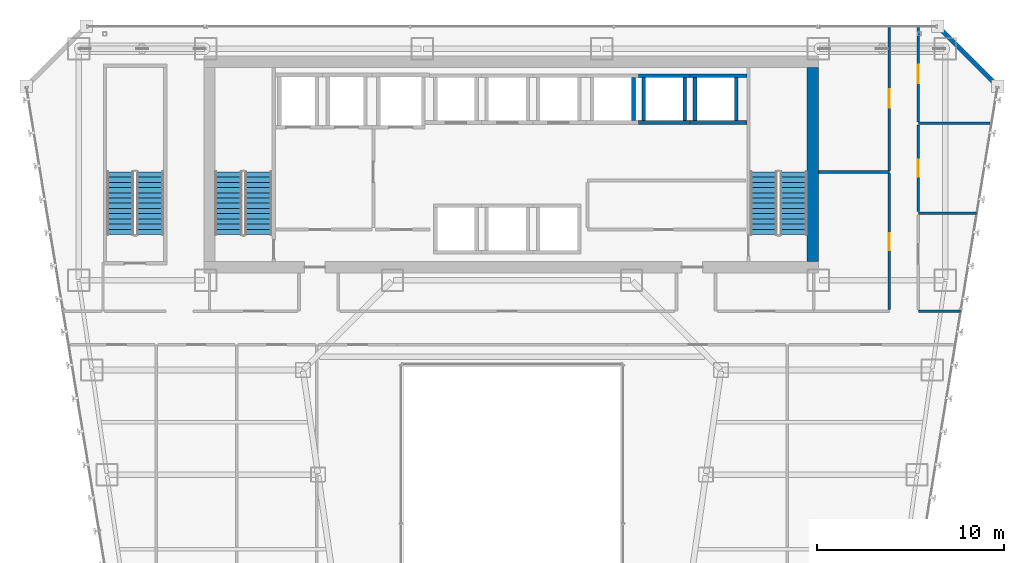
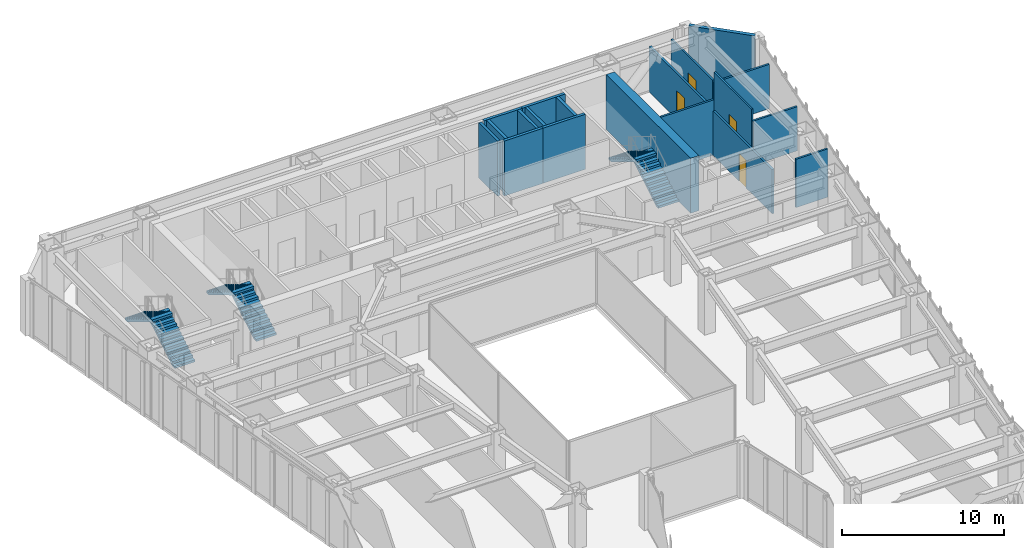
# One storey, part 38 of 47: 19 walls, 6 stair flights, 4 doors, 4 openings, 3 elements without a shape of their own.
"""IFC4 building model written with IfcOpenShell, lengths in metres."""

from ifc_helpers import new_model, si_unit, direction, frame, frame_2d, origin, place, context, subcontext, project, spatial, polyline, rectangle, outline, extrude, material, layer, layer_set, type_object, element, fill, aggregate, save


model = new_model("IFC4")

# Units and contexts
model_context = context("Model", 3, precision=1e-05, world=origin(), true_north=direction((0.0, 1.0)))
body_context = subcontext(model_context, "Body", "Model", "MODEL_VIEW")
ifc_project = project(units=[si_unit("LENGTHUNIT", "METRE"), si_unit("AREAUNIT", "SQUARE_METRE"), si_unit("VOLUMEUNIT", "CUBIC_METRE"), si_unit("PLANEANGLEUNIT", "RADIAN"), si_unit("MASSUNIT", "GRAM", prefix="KILO")], contexts=[model_context])

# Site, building, storey
site_placement = place(None, origin())
site = spatial("IfcSite", under=ifc_project, at=site_placement, CompositionType="ELEMENT")
building_placement = place(site_placement, origin())
building = spatial("IfcBuilding", under=site, at=building_placement, Name="Saevonmaru Cultural Tower", CompositionType="ELEMENT")
storey_placement = place(building_placement, frame((0.0, 0.0, 78.0)))
storey = spatial("IfcBuildingStorey", under=building, at=storey_placement, Name="L16", CompositionType="ELEMENT", Elevation=78.0)

# Walls
ifc_material_1 = material(Name="Concrete C60/75", Category="concrete")
ifc_layer_1 = layer(ifc_material_1, 0.60009765625, Name="Concrete C60/75")
ifc_layer_set_1 = layer_set([ifc_layer_1], Name="Concrete C60/75")
wall_type_1 = type_object("IfcWallType", Name="WL-CORE-600", PredefinedType="SHEAR", material=ifc_layer_set_1)
wall_1_placement = place(storey_placement, frame((46.10009765625, 43.39990234375, 0.0), z_axis=(0.0, 0.0, 1.0), x_axis=(0.0, 1.0, 0.0)))
element("IfcWall", 1, at=wall_1_placement, inside=storey, type_object=wall_type_1, Name="L16 Tower RC core shear wall E", PredefinedType="SHEAR", context=body_context, shape_type="SweptSolid", body=[
    extrude(rectangle(XDim=10.400146484375, YDim=0.60009765625, at=frame_2d((5.2001953125, 0.0))), origin(), (0.0, 0.0, 1.0), 4.14990234375),
])
ifc_material_2 = material(Name="Granite-Clad Precast Concrete C40/50", Category="masonry")
ifc_layer_2 = layer(ifc_material_2, 0.260009765625, Name="Granite-Clad Precast Concrete C40/50")
ifc_layer_set_2 = layer_set([ifc_layer_2], Name="Granite-Clad Precast Concrete C40/50")
wall_type_2 = type_object("IfcWallType", Name="WL-EXT-SPANDREL-260", PredefinedType="STANDARD", material=ifc_layer_set_2)
wall_2_placement = place(storey_placement, frame((55.886962890625, 52.9130859375, 0.0), z_axis=(0.0, 0.0, 1.0), x_axis=(-0.707106781187, 0.707106781187, 0.0)))
element("IfcWall", 2, at=wall_2_placement, inside=storey, type_object=wall_type_2, Name="L16 Chamfer Corner Spandrel Wall E9", PredefinedType="STANDARD", context=body_context, shape_type="SweptSolid", body=[
    extrude(rectangle(XDim=4.205810546875, YDim=0.260009765625, at=frame_2d((2.10302734375, 0.0))), origin(), (0.0, 0.0, 1.0), 4.14990234375),
])

# Wall, opening, door
ifc_material_3 = material(Name="Gypsum Fireboard Partition", Category="gypsum")
ifc_layer_3 = layer(ifc_material_3, 0.14990234375, Name="Gypsum Fireboard Partition")
ifc_layer_set_3 = layer_set([ifc_layer_3], Name="Gypsum Fireboard Partition")
wall_type_3 = type_object("IfcWallType", Name="WL-PART-FIRE-150", PredefinedType="PARTITIONING", material=ifc_layer_set_3)
wall_3_placement = place(storey_placement, frame((50.199951171875, 48.2900390625, 0.0), z_axis=(0.0, 0.0, 1.0), x_axis=(0.0, 1.0, 0.0)))
wall_3 = element("IfcWall", 3, at=wall_3_placement, inside=storey, type_object=wall_type_3, Name="L16 Chamber Rehearsal Auditorium Corridor Wall", PredefinedType="PARTITIONING", context=body_context, shape_type="SweptSolid", body=[
    extrude(rectangle(XDim=7.705078125, YDim=0.14990234375, at=frame_2d((3.8525390625, 0.0))), origin(), (0.0, 0.0, 1.0), 3.43505859375),
])
opening_1_placement = place(wall_3_placement, frame((3.35205078125, 0.0, 0.0)))
opening_1 = element("IfcOpeningElement", 4, at=opening_1_placement, cuts=wall_3, Name="Opening ID-1B", PredefinedType="OPENING", context=body_context, shape_type="SweptSolid", body=[
    extrude(rectangle(XDim=1.0, YDim=2.14990234375, at=frame_2d((0.5, 1.074951171875))), frame((0.0, 0.0849609375, 0.0), z_axis=(0.0, -1.0, 0.0), x_axis=(1.0, 0.0, 0.0)), (0.0, 0.0, 1.0), 0.169921875),
])
ifc_material_4 = material(Name="Acoustic Stained Oak Timber", Category="wood")
door_type_1 = type_object("IfcDoorType", Name="DR-INT-1000", OperationType="SINGLE_SWING_RIGHT", PredefinedType="DOOR", material=ifc_material_4)
door_1_placement = place(opening_1_placement, origin())
door_1 = element("IfcDoor", 5, at=door_1_placement, inside=storey, type_object=door_type_1, Name="L16 Chamber Rehearsal Auditorium Door", OperationType="SINGLE_SWING_LEFT", OverallHeight=2.14990234375, OverallWidth=1.0, PredefinedType="DOOR", context=body_context, shape_type="SweptSolid", body=[
    extrude(rectangle(XDim=1.0, YDim=2.14990234375, at=frame_2d((0.5, 1.074951171875))), frame((0.0, 0.02490234375, 0.0), z_axis=(0.0, -1.0, 0.0), x_axis=(1.0, 0.0, 0.0)), (0.0, 0.0, 1.0), 0.050048828125),
])
fill(opening_1, door_1)

ifc_layer_4 = layer(ifc_material_3, 0.1201171875, Name="Gypsum Fireboard Partition")
ifc_layer_set_4 = layer_set([ifc_layer_4], Name="Gypsum Fireboard Partition")
wall_type_4 = type_object("IfcWallType", Name="WL-PART-GYP-120", PredefinedType="PARTITIONING", material=ifc_layer_set_4)
wall_4_placement = place(storey_placement, frame((51.75, 46.08740234375, 0.0), z_axis=(0.0, 0.0, 1.0), x_axis=(0.0, 1.0, 0.0)))
wall_4 = element("IfcWall", 6, at=wall_4_placement, inside=storey, type_object=wall_type_4, Name="L16 Architecture Residency Office Corridor Wall", PredefinedType="PARTITIONING", context=body_context, shape_type="SweptSolid", body=[
    extrude(rectangle(XDim=4.625, YDim=0.1201171875, at=frame_2d((2.3125, 0.0))), origin(), (0.0, 0.0, 1.0), 4.14990234375),
])
opening_2_placement = place(wall_4_placement, frame((1.863037109375, 0.0, 0.0)))
opening_2 = element("IfcOpeningElement", 7, at=opening_2_placement, cuts=wall_4, Name="Opening ID-2", PredefinedType="OPENING", context=body_context, shape_type="SweptSolid", body=[
    extrude(rectangle(XDim=0.89990234375, YDim=2.10009765625, at=frame_2d((0.449951171875, 1.050048828125))), frame((0.0, 0.070068359375, 0.0), z_axis=(0.0, -1.0, 0.0), x_axis=(1.0, 0.0, 0.0)), (0.0, 0.0, 1.0), 0.14013671875),
])
door_type_2 = type_object("IfcDoorType", Name="DR-INT-900", OperationType="SINGLE_SWING_RIGHT", PredefinedType="DOOR", material=ifc_material_4)
door_2_placement = place(opening_2_placement, origin())
door_2 = element("IfcDoor", 8, at=door_2_placement, inside=storey, type_object=door_type_2, Name="L16 Architecture Residency Office Door", OperationType="SINGLE_SWING_LEFT", OverallHeight=2.10009765625, OverallWidth=0.89990234375, PredefinedType="DOOR", context=body_context, shape_type="SweptSolid", body=[
    extrude(rectangle(XDim=0.89990234375, YDim=2.10009765625, at=frame_2d((0.449951171875, 1.050048828125))), frame((0.0, 0.02490234375, 0.0), z_axis=(0.0, -1.0, 0.0), x_axis=(1.0, 0.0, 0.0)), (0.0, 0.0, 1.0), 0.050048828125),
])
fill(opening_2, door_2)

wall_5_placement = place(storey_placement, frame((51.75, 50.887451171875, 0.0), z_axis=(0.0, 0.0, 1.0), x_axis=(0.0, 1.0, 0.0)))
wall_5 = element("IfcWall", 9, at=wall_5_placement, inside=storey, type_object=wall_type_4, Name="L16 Botanical Tea Bistro Corridor Wall", PredefinedType="PARTITIONING", context=body_context, shape_type="SweptSolid", body=[
    extrude(rectangle(XDim=5.107666015625, YDim=0.1201171875, at=frame_2d((2.5537109375, 0.0))), origin(), (0.0, 0.0, 1.0), 3.43505859375),
])
opening_3_placement = place(wall_5_placement, frame((2.053955078125, 0.0, 0.0)))
opening_3 = element("IfcOpeningElement", 10, at=opening_3_placement, cuts=wall_5, Name="Opening ID-1B", PredefinedType="OPENING", context=body_context, shape_type="SweptSolid", body=[
    extrude(rectangle(XDim=1.0, YDim=2.14990234375, at=frame_2d((0.5, 1.074951171875))), frame((0.0, 0.070068359375, 0.0), z_axis=(0.0, -1.0, 0.0), x_axis=(1.0, 0.0, 0.0)), (0.0, 0.0, 1.0), 0.14013671875),
])
door_3_placement = place(opening_3_placement, origin())
door_3 = element("IfcDoor", 11, at=door_3_placement, inside=storey, type_object=door_type_1, Name="L16 Botanical Tea Bistro Door", OperationType="SINGLE_SWING_RIGHT", OverallHeight=2.14990234375, OverallWidth=1.0, PredefinedType="DOOR", context=body_context, shape_type="SweptSolid", body=[
    extrude(rectangle(XDim=1.0, YDim=2.14990234375, at=frame_2d((0.5, 1.074951171875))), frame((0.0, 0.02490234375, 0.0), z_axis=(0.0, -1.0, 0.0), x_axis=(1.0, 0.0, 0.0)), (0.0, 0.0, 1.0), 0.050048828125),
])
fill(opening_3, door_3)

# Walls
ifc_layer_5 = layer(ifc_material_3, 0.135009765625, Name="Gypsum Fireboard Partition")
ifc_layer_set_5 = layer_set([ifc_layer_5], Name="Gypsum Fireboard Partition")
wall_type_5 = type_object("IfcWallType", Name="WL-PART-GYP-135", PredefinedType="PARTITIONING", material=ifc_layer_set_5)
wall_6_placement = place(storey_placement, frame((51.75, 40.75, 0.0), z_axis=(0.0, 0.0, 1.0), x_axis=(1.0, 0.0, 0.0)))
element("IfcWall", 12, at=wall_6_placement, inside=storey, type_object=wall_type_5, Name="L16 NE Wing South Wall", PredefinedType="PARTITIONING", context=body_context, shape_type="SweptSolid", body=[
    extrude(rectangle(XDim=2.2705078125, YDim=0.135009765625, at=frame_2d((1.13525390625, 0.0))), origin(), (0.0, 0.0, 1.0), 3.635009765625),
])
wall_7_placement = place(storey_placement, frame((51.75, 46.0, 0.0), z_axis=(0.0, 0.0, 1.0), x_axis=(1.0, 0.0, 0.0)))
element("IfcWall", 13, at=wall_7_placement, inside=storey, type_object=wall_type_5, Name="L16 NE Studio Divider 1", PredefinedType="PARTITIONING", context=body_context, shape_type="SweptSolid", body=[
    extrude(rectangle(XDim=3.130615234375, YDim=0.135009765625, at=frame_2d((1.5654296875, 0.0))), origin(), (0.0, 0.0, 1.0), 3.3349609375),
])
wall_8_placement = place(storey_placement, frame((51.75, 50.800048828125, 0.0), z_axis=(0.0, 0.0, 1.0), x_axis=(1.0, 0.0, 0.0)))
element("IfcWall", 14, at=wall_8_placement, inside=storey, type_object=wall_type_5, Name="L16 NE Studio Divider 2", PredefinedType="PARTITIONING", context=body_context, shape_type="SweptSolid", body=[
    extrude(rectangle(XDim=3.917236328125, YDim=0.135009765625, at=frame_2d((1.95849609375, 0.0))), origin(), (0.0, 0.0, 1.0), 3.3349609375),
])
ifc_layer_6 = layer(ifc_material_3, 0.139892578125, Name="Gypsum Fireboard Partition")
ifc_layer_set_6 = layer_set([ifc_layer_6], Name="Gypsum Fireboard Partition")
wall_type_6 = type_object("IfcWallType", Name="WL-PART-WET-140", PredefinedType="PARTITIONING", material=ifc_layer_set_6)
wall_9_placement = place(storey_placement, frame((46.419921875, 48.199951171875, 0.0), z_axis=(0.0, 0.0, 1.0), x_axis=(1.0, 0.0, 0.0)))
element("IfcWall", 15, at=wall_9_placement, inside=storey, type_object=wall_type_6, Name="L16 Washroom North Wall", PredefinedType="PARTITIONING", context=body_context, shape_type="SweptSolid", body=[
    extrude(rectangle(XDim=3.780029296875, YDim=0.139892578125, at=frame_2d((1.89013671875, 0.0))), origin(), (0.0, 0.0, 1.0), 4.14990234375),
])

# Wall, opening, door
wall_10_placement = place(storey_placement, frame((50.199951171875, 40.840087890625, 0.0), z_axis=(0.0, 0.0, 1.0), x_axis=(0.0, 1.0, 0.0)))
wall_10 = element("IfcWall", 16, at=wall_10_placement, inside=storey, type_object=wall_type_6, Name="L16 Washroom Corridor Wall", PredefinedType="PARTITIONING", context=body_context, shape_type="SweptSolid", body=[
    extrude(rectangle(XDim=7.27001953125, YDim=0.139892578125, at=frame_2d((3.635009765625, 0.0))), origin(), (0.0, 0.0, 1.0), 3.3349609375),
])
opening_4_placement = place(wall_10_placement, frame((3.18505859375, 0.0, 0.0)))
opening_4 = element("IfcOpeningElement", 17, at=opening_4_placement, cuts=wall_10, Name="Opening ID-2", PredefinedType="OPENING", context=body_context, shape_type="SweptSolid", body=[
    extrude(rectangle(XDim=0.89990234375, YDim=2.10009765625, at=frame_2d((0.449951171875, 1.050048828125))), frame((0.0, 0.080078125, 0.0), z_axis=(0.0, -1.0, 0.0), x_axis=(1.0, 0.0, 0.0)), (0.0, 0.0, 1.0), 0.159912109375),
])
door_4_placement = place(opening_4_placement, origin())
door_4 = element("IfcDoor", 18, at=door_4_placement, inside=storey, type_object=door_type_2, Name="L16 Public Accessible Washrooms Door", OperationType="SINGLE_SWING_RIGHT", OverallHeight=2.10009765625, OverallWidth=0.89990234375, PredefinedType="DOOR", context=body_context, shape_type="SweptSolid", body=[
    extrude(rectangle(XDim=0.89990234375, YDim=2.10009765625, at=frame_2d((0.449951171875, 1.050048828125))), frame((0.0, 0.02490234375, 0.0), z_axis=(0.0, -1.0, 0.0), x_axis=(1.0, 0.0, 0.0)), (0.0, 0.0, 1.0), 0.050048828125),
])
fill(opening_4, door_4)

# Walls
ifc_material_5 = material(Name="Concrete C40/50", Category="concrete")
ifc_layer_7 = layer(ifc_material_5, 0.199951171875, Name="Concrete C40/50")
ifc_layer_set_7 = layer_set([ifc_layer_7], Name="Concrete C40/50")
wall_type_7 = type_object("IfcWallType", Name="WL-SHAFT-200", PredefinedType="SHEAR", material=ifc_layer_set_7)
wall_11_placement = place(storey_placement, frame((36.5, 50.949951171875, 0.0), z_axis=(0.0, 0.0, 1.0), x_axis=(0.0, 1.0, 0.0)))
element("IfcWall", 19, at=wall_11_placement, inside=storey, type_object=wall_type_7, Name="L16 Lift PL-H1 Hoistway Wall E", PredefinedType="SHEAR", context=body_context, shape_type="SweptSolid", body=[
    extrude(rectangle(XDim=2.300048828125, YDim=0.199951171875, at=frame_2d((1.14990234375, 0.0))), origin(), (0.0, 0.0, 1.0), 4.14990234375),
])
for number, where, z_axis, x_axis, name in (
    (20, (36.77490234375, 50.85009765625, 0.0), (0.0, 0.0, 1.0), (1.0, 0.0, 0.0), "L16 Lift PL-H2 Hoistway Wall S"),
    (21, (36.77490234375, 53.35009765625, 0.0), (0.0, 0.0, 1.0), (1.0, 0.0, 0.0), "L16 Lift PL-H2 Hoistway Wall N"),
):
    element("IfcWall", number, at=place(storey_placement, frame(where, z_axis=z_axis, x_axis=x_axis)), inside=storey, type_object=wall_type_7, Name=name, PredefinedType="SHEAR", context=body_context, shape_type="SweptSolid", body=[
        extrude(rectangle(XDim=2.75, YDim=0.199951171875, at=frame_2d((1.375, 0.0))), origin(), (0.0, 0.0, 1.0), 4.14990234375),
    ])
for number, where, z_axis, x_axis, name in (
    (22, (37.050048828125, 50.949951171875, 0.0), (0.0, 0.0, 1.0), (0.0, 1.0, 0.0), "L16 Lift PL-H2 Hoistway Wall W"),
    (23, (39.25, 50.949951171875, 0.0), (0.0, 0.0, 1.0), (0.0, 1.0, 0.0), "L16 Lift PL-H2 Hoistway Wall E"),
):
    element("IfcWall", number, at=place(storey_placement, frame(where, z_axis=z_axis, x_axis=x_axis)), inside=storey, type_object=wall_type_7, Name=name, PredefinedType="SHEAR", context=body_context, shape_type="SweptSolid", body=[
        extrude(rectangle(XDim=2.300048828125, YDim=0.199951171875, at=frame_2d((1.14990234375, 0.0))), origin(), (0.0, 0.0, 1.0), 4.14990234375),
    ])
for number, where, z_axis, x_axis, name in (
    (24, (39.52490234375, 50.85009765625, 0.0), (0.0, 0.0, 1.0), (1.0, 0.0, 0.0), "L16 Lift PL-H3 Hoistway Wall S"),
    (25, (39.52490234375, 53.35009765625, 0.0), (0.0, 0.0, 1.0), (1.0, 0.0, 0.0), "L16 Lift PL-H3 Hoistway Wall N"),
):
    element("IfcWall", number, at=place(storey_placement, frame(where, z_axis=z_axis, x_axis=x_axis)), inside=storey, type_object=wall_type_7, Name=name, PredefinedType="SHEAR", context=body_context, shape_type="SweptSolid", body=[
        extrude(rectangle(XDim=3.045166015625, YDim=0.199951171875, at=frame_2d((1.5224609375, 0.0))), origin(), (0.0, 0.0, 1.0), 4.14990234375),
    ])
for number, where, z_axis, x_axis, name in (
    (26, (39.800048828125, 50.949951171875, 0.0), (0.0, 0.0, 1.0), (0.0, 1.0, 0.0), "L16 Lift PL-H3 Hoistway Wall W"),
    (27, (42.0, 50.949951171875, 0.0), (0.0, 0.0, 1.0), (0.0, 1.0, 0.0), "L16 Lift PL-H3 Hoistway Wall E"),
):
    element("IfcWall", number, at=place(storey_placement, frame(where, z_axis=z_axis, x_axis=x_axis)), inside=storey, type_object=wall_type_7, Name=name, PredefinedType="SHEAR", context=body_context, shape_type="SweptSolid", body=[
        extrude(rectangle(XDim=2.300048828125, YDim=0.199951171875, at=frame_2d((1.14990234375, 0.0))), origin(), (0.0, 0.0, 1.0), 4.14990234375),
    ])

# Stair, stair flights
stair_type = type_object("IfcStairType", Name="STR-DOGLEG-RC", PredefinedType="HALF_TURN_STAIR", material=ifc_material_5)
stair_1_placement = place(storey_placement, origin())
stair_1 = element("IfcStair", 28, at=stair_1_placement, inside=storey, type_object=stair_type, Name="L16 Protected exit stair ST-1", PredefinedType="HALF_TURN_STAIR")
ifc_material_6 = material(Name="Precast concrete C40/50", Category="concrete")
stair_flight_type = type_object("IfcStairFlightType", Name="STF-PRECAST-180", PredefinedType="STRAIGHT", material=ifc_material_6)
stair_flight_1_placement = place(storey_placement, frame((16.425048828125, 44.85009765625, 0.0), z_axis=(0.0, 0.0, 1.0), x_axis=(0.0, 1.0, 0.0)))
stair_flight_1 = element("IfcStairFlight", 29, at=stair_flight_1_placement, type_object=stair_flight_type, Name="ST-1-L16 flight 1", NumberOfRisers=13, NumberOfTreads=12, PredefinedType="STRAIGHT", RiserHeight=0.169230769, TreadLength=0.28, context=body_context, shape_type="SweptSolid", body=[
    extrude(outline(polyline([(0.0, 0.0), (0.0, 0.169189453125), (0.280029296875, 0.169189453125), (0.280029296875, 0.33837890625), (0.56005859375, 0.33837890625), (0.56005859375, 0.5078125), (0.840087890625, 0.5078125), (0.840087890625, 0.677001953125), (1.1201171875, 0.677001953125), (1.1201171875, 0.84619140625), (1.39990234375, 0.84619140625), (1.39990234375, 1.015380859375), (1.679931640625, 1.015380859375), (1.679931640625, 1.1845703125), (1.9599609375, 1.1845703125), (1.9599609375, 1.353759765625), (2.239990234375, 1.353759765625), (2.239990234375, 1.523193359375), (2.52001953125, 1.523193359375), (2.52001953125, 1.6923828125), (2.800048828125, 1.6923828125), (2.800048828125, 1.861572265625), (3.080078125, 1.861572265625), (3.080078125, 2.03076171875), (3.360107421875, 2.03076171875), (3.360107421875, 2.199951171875), (3.360107421875, 1.855712890625), (0.289794921875, 0.0), (0.0, 0.0)])), frame((0.0, 0.72509765625, 0.0), z_axis=(0.0, -1.0, 0.0), x_axis=(1.0, 0.0, 0.0)), (0.0, 0.0, 1.0), 1.449951171875),
])
stair_flight_2_placement = place(storey_placement, frame((14.824951171875, 48.2099609375, 2.199951171875), z_axis=(0.0, 0.0, 1.0), x_axis=(0.0, -1.0, 0.0)))
stair_flight_2 = element("IfcStairFlight", 30, at=stair_flight_2_placement, type_object=stair_flight_type, Name="ST-1-L16 flight 2", NumberOfRisers=13, NumberOfTreads=12, PredefinedType="STRAIGHT", RiserHeight=0.169230769, TreadLength=0.28, context=body_context, shape_type="SweptSolid", body=[
    extrude(outline(polyline([(0.0, 0.0), (0.0, 0.169189453125), (0.280029296875, 0.169189453125), (0.280029296875, 0.33837890625), (0.56005859375, 0.33837890625), (0.56005859375, 0.5078125), (0.840087890625, 0.5078125), (0.840087890625, 0.677001953125), (1.1201171875, 0.677001953125), (1.1201171875, 0.84619140625), (1.39990234375, 0.84619140625), (1.39990234375, 1.015380859375), (1.679931640625, 1.015380859375), (1.679931640625, 1.1845703125), (1.9599609375, 1.1845703125), (1.9599609375, 1.353759765625), (2.239990234375, 1.353759765625), (2.239990234375, 1.523193359375), (2.52001953125, 1.523193359375), (2.52001953125, 1.6923828125), (2.800048828125, 1.6923828125), (2.800048828125, 1.861572265625), (3.080078125, 1.861572265625), (3.080078125, 2.03076171875), (3.360107421875, 2.03076171875), (3.360107421875, 2.199951171875), (3.360107421875, 1.855712890625), (0.289794921875, 0.0), (0.0, 0.0)])), frame((0.0, 0.72509765625, 0.0), z_axis=(0.0, -1.0, 0.0), x_axis=(1.0, 0.0, 0.0)), (0.0, 0.0, 1.0), 1.449951171875),
])
aggregate(stair_1, [stair_flight_1, stair_flight_2])

stair_2_placement = place(storey_placement, origin())
stair_2 = element("IfcStair", 31, at=stair_2_placement, inside=storey, type_object=stair_type, Name="L16 Protected exit stair ST-2", PredefinedType="HALF_TURN_STAIR")
stair_flight_3_placement = place(storey_placement, frame((45.074951171875, 44.85009765625, 0.0), z_axis=(0.0, 0.0, 1.0), x_axis=(0.0, 1.0, 0.0)))
stair_flight_3 = element("IfcStairFlight", 32, at=stair_flight_3_placement, type_object=stair_flight_type, Name="ST-2-L16 flight 1", NumberOfRisers=13, NumberOfTreads=12, PredefinedType="STRAIGHT", RiserHeight=0.169230769, TreadLength=0.28, context=body_context, shape_type="SweptSolid", body=[
    extrude(outline(polyline([(0.0, 0.0), (0.0, 0.169189453125), (0.280029296875, 0.169189453125), (0.280029296875, 0.33837890625), (0.56005859375, 0.33837890625), (0.56005859375, 0.5078125), (0.840087890625, 0.5078125), (0.840087890625, 0.677001953125), (1.1201171875, 0.677001953125), (1.1201171875, 0.84619140625), (1.39990234375, 0.84619140625), (1.39990234375, 1.015380859375), (1.679931640625, 1.015380859375), (1.679931640625, 1.1845703125), (1.9599609375, 1.1845703125), (1.9599609375, 1.353759765625), (2.239990234375, 1.353759765625), (2.239990234375, 1.523193359375), (2.52001953125, 1.523193359375), (2.52001953125, 1.6923828125), (2.800048828125, 1.6923828125), (2.800048828125, 1.861572265625), (3.080078125, 1.861572265625), (3.080078125, 2.03076171875), (3.360107421875, 2.03076171875), (3.360107421875, 2.199951171875), (3.360107421875, 1.855712890625), (0.289794921875, 0.0), (0.0, 0.0)])), frame((0.0, 0.72509765625, 0.0), z_axis=(0.0, -1.0, 0.0), x_axis=(1.0, 0.0, 0.0)), (0.0, 0.0, 1.0), 1.449951171875),
])
stair_flight_4_placement = place(storey_placement, frame((43.47509765625, 48.2099609375, 2.199951171875), z_axis=(0.0, 0.0, 1.0), x_axis=(0.0, -1.0, 0.0)))
stair_flight_4 = element("IfcStairFlight", 33, at=stair_flight_4_placement, type_object=stair_flight_type, Name="ST-2-L16 flight 2", NumberOfRisers=13, NumberOfTreads=12, PredefinedType="STRAIGHT", RiserHeight=0.169230769, TreadLength=0.28, context=body_context, shape_type="SweptSolid", body=[
    extrude(outline(polyline([(0.0, 0.0), (0.0, 0.169189453125), (0.280029296875, 0.169189453125), (0.280029296875, 0.33837890625), (0.56005859375, 0.33837890625), (0.56005859375, 0.5078125), (0.840087890625, 0.5078125), (0.840087890625, 0.677001953125), (1.1201171875, 0.677001953125), (1.1201171875, 0.84619140625), (1.39990234375, 0.84619140625), (1.39990234375, 1.015380859375), (1.679931640625, 1.015380859375), (1.679931640625, 1.1845703125), (1.9599609375, 1.1845703125), (1.9599609375, 1.353759765625), (2.239990234375, 1.353759765625), (2.239990234375, 1.523193359375), (2.52001953125, 1.523193359375), (2.52001953125, 1.6923828125), (2.800048828125, 1.6923828125), (2.800048828125, 1.861572265625), (3.080078125, 1.861572265625), (3.080078125, 2.03076171875), (3.360107421875, 2.03076171875), (3.360107421875, 2.199951171875), (3.360107421875, 1.855712890625), (0.289794921875, 0.0), (0.0, 0.0)])), frame((0.0, 0.72509765625, 0.0), z_axis=(0.0, -1.0, 0.0), x_axis=(1.0, 0.0, 0.0)), (0.0, 0.0, 1.0), 1.449951171875),
])
aggregate(stair_2, [stair_flight_3, stair_flight_4])

stair_3_placement = place(storey_placement, origin())
stair_3 = element("IfcStair", 34, at=stair_3_placement, inside=storey, type_object=stair_type, Name="L16 Protected exit stair ST-3", PredefinedType="HALF_TURN_STAIR")
stair_flight_5_placement = place(storey_placement, frame((10.625, 44.85009765625, 0.0), z_axis=(0.0, 0.0, 1.0), x_axis=(0.0, 1.0, 0.0)))
stair_flight_5 = element("IfcStairFlight", 35, at=stair_flight_5_placement, type_object=stair_flight_type, Name="ST-3-L16 flight 1", NumberOfRisers=13, NumberOfTreads=12, PredefinedType="STRAIGHT", RiserHeight=0.169230769, TreadLength=0.28, context=body_context, shape_type="SweptSolid", body=[
    extrude(outline(polyline([(0.0, 0.0), (0.0, 0.169189453125), (0.280029296875, 0.169189453125), (0.280029296875, 0.33837890625), (0.56005859375, 0.33837890625), (0.56005859375, 0.5078125), (0.840087890625, 0.5078125), (0.840087890625, 0.677001953125), (1.1201171875, 0.677001953125), (1.1201171875, 0.84619140625), (1.39990234375, 0.84619140625), (1.39990234375, 1.015380859375), (1.679931640625, 1.015380859375), (1.679931640625, 1.1845703125), (1.9599609375, 1.1845703125), (1.9599609375, 1.353759765625), (2.239990234375, 1.353759765625), (2.239990234375, 1.523193359375), (2.52001953125, 1.523193359375), (2.52001953125, 1.6923828125), (2.800048828125, 1.6923828125), (2.800048828125, 1.861572265625), (3.080078125, 1.861572265625), (3.080078125, 2.03076171875), (3.360107421875, 2.03076171875), (3.360107421875, 2.199951171875), (3.360107421875, 1.855712890625), (0.289794921875, 0.0), (0.0, 0.0)])), frame((0.0, 0.72509765625, 0.0), z_axis=(0.0, -1.0, 0.0), x_axis=(1.0, 0.0, 0.0)), (0.0, 0.0, 1.0), 1.449951171875),
])
stair_flight_6_placement = place(storey_placement, frame((9.02490234375, 48.2099609375, 2.199951171875), z_axis=(0.0, 0.0, 1.0), x_axis=(0.0, -1.0, 0.0)))
stair_flight_6 = element("IfcStairFlight", 36, at=stair_flight_6_placement, type_object=stair_flight_type, Name="ST-3-L16 flight 2", NumberOfRisers=13, NumberOfTreads=12, PredefinedType="STRAIGHT", RiserHeight=0.169230769, TreadLength=0.28, context=body_context, shape_type="SweptSolid", body=[
    extrude(outline(polyline([(0.0, 0.0), (0.0, 0.169189453125), (0.280029296875, 0.169189453125), (0.280029296875, 0.33837890625), (0.56005859375, 0.33837890625), (0.56005859375, 0.5078125), (0.840087890625, 0.5078125), (0.840087890625, 0.677001953125), (1.1201171875, 0.677001953125), (1.1201171875, 0.84619140625), (1.39990234375, 0.84619140625), (1.39990234375, 1.015380859375), (1.679931640625, 1.015380859375), (1.679931640625, 1.1845703125), (1.9599609375, 1.1845703125), (1.9599609375, 1.353759765625), (2.239990234375, 1.353759765625), (2.239990234375, 1.523193359375), (2.52001953125, 1.523193359375), (2.52001953125, 1.6923828125), (2.800048828125, 1.6923828125), (2.800048828125, 1.861572265625), (3.080078125, 1.861572265625), (3.080078125, 2.03076171875), (3.360107421875, 2.03076171875), (3.360107421875, 2.199951171875), (3.360107421875, 1.855712890625), (0.289794921875, 0.0), (0.0, 0.0)])), frame((0.0, 0.72509765625, 0.0), z_axis=(0.0, -1.0, 0.0), x_axis=(1.0, 0.0, 0.0)), (0.0, 0.0, 1.0), 1.449951171875),
])
aggregate(stair_3, [stair_flight_5, stair_flight_6])

save(model, "model.ifc")
